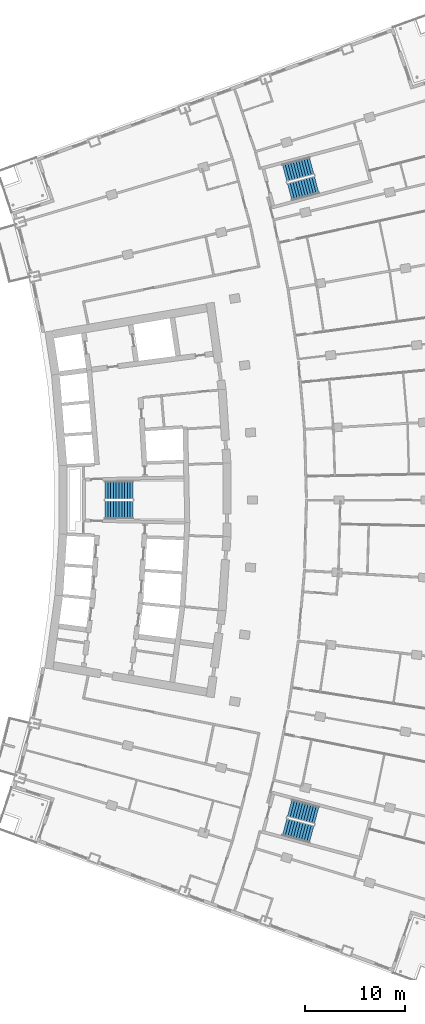
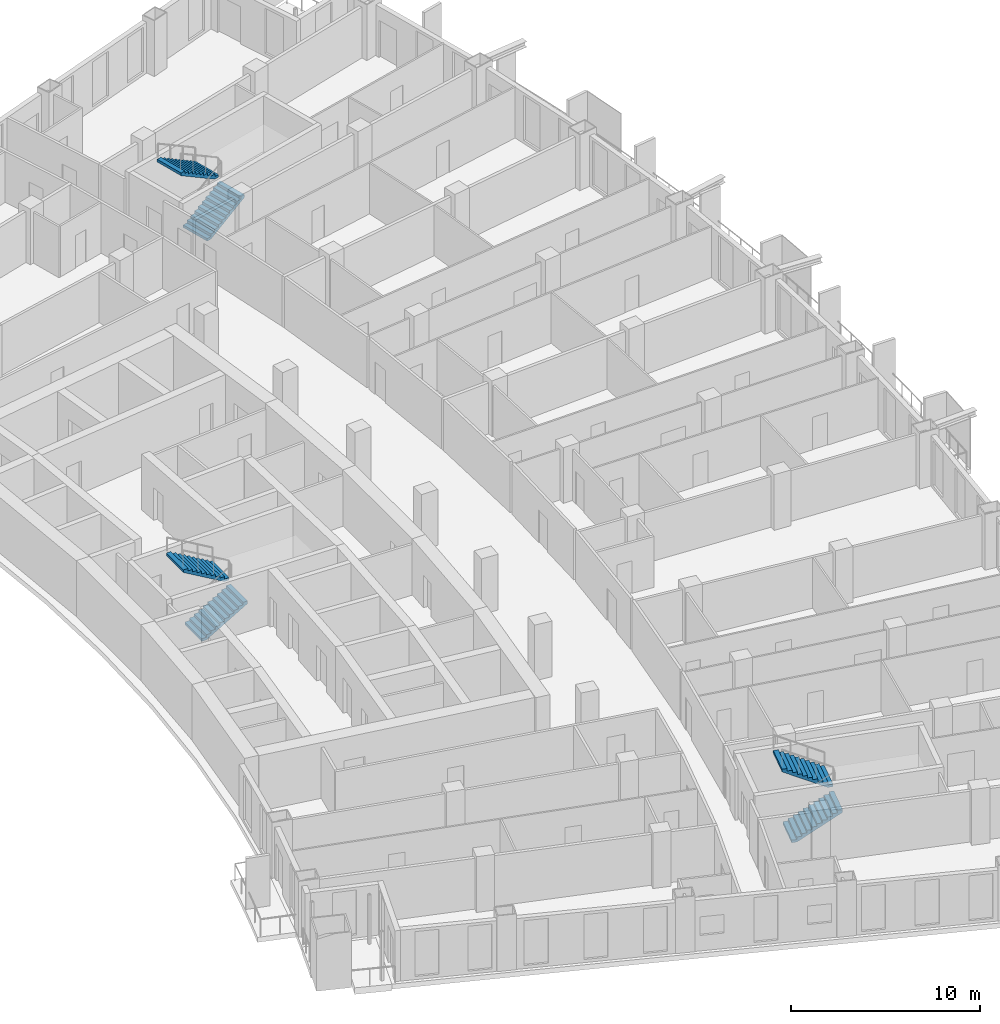
# One storey, part 22 of 25: 6 stair flights, 3 elements without a shape of their own.
"""IFC4 building model written with IfcOpenShell, lengths in metres."""

from ifc_helpers import new_model, si_unit, direction, frame, origin, place, context, subcontext, project, spatial, polyline, outline, extrude, material, layer, layer_set, type_object, element, aggregate, save


model = new_model("IFC4")

# Units and contexts
model_context = context("Model", 3, precision=1e-05, world=origin(), true_north=direction((0.0, 1.0)))
body_context = subcontext(model_context, "Body", "Model", "MODEL_VIEW")
ifc_project = project(units=[si_unit("LENGTHUNIT", "METRE"), si_unit("AREAUNIT", "SQUARE_METRE"), si_unit("VOLUMEUNIT", "CUBIC_METRE"), si_unit("PLANEANGLEUNIT", "RADIAN"), si_unit("MASSUNIT", "GRAM", prefix="KILO")], contexts=[model_context])

# Site, building, storey
site_placement = place(None, origin())
site = spatial("IfcSite", under=ifc_project, at=site_placement, CompositionType="ELEMENT")
building_placement = place(site_placement, origin())
building = spatial("IfcBuilding", under=site, at=building_placement, Name="Alderwake Tower", CompositionType="ELEMENT")
storey_placement = place(building_placement, frame((0.0, 0.0, 86.0)))
storey = spatial("IfcBuildingStorey", under=building, at=storey_placement, Name="L20", CompositionType="ELEMENT", Elevation=86.0)

# Stair, stair flights
ifc_material_1 = material(Name="Concrete C40/50", Category="concrete")
stair_type = type_object("IfcStairType", Name="Core exit stair", PredefinedType="HALF_TURN_STAIR", material=ifc_material_1)
stair_1_placement = place(storey_placement, origin())
stair_1 = element("IfcStair", 1, at=stair_1_placement, inside=storey, type_object=stair_type, Name="L20 Exit Stair B", PredefinedType="HALF_TURN_STAIR")
ifc_material_2 = material(Name="Concrete C40/50", Category="concrete")
ifc_layer = layer(ifc_material_2, 0.14990234375)
ifc_layer_set = layer_set([ifc_layer], Name="Core stair flight")
stair_flight_type = type_object("IfcStairFlightType", Name="Core stair flight", PredefinedType="STRAIGHT", material=ifc_layer_set)
stair_flight_1_placement = place(storey_placement, frame((21.0400390625, 60.02490234375, 0.0), z_axis=(0.0, 0.0, 1.0), x_axis=(1.0, 0.0, 0.0)))
stair_flight_1 = element("IfcStairFlight", 2, at=stair_flight_1_placement, type_object=stair_flight_type, Name="ST-B flight 1", NumberOfRisers=11, NumberOfTreads=10, PredefinedType="STRAIGHT", RiserHeight=0.163636364, TreadLength=0.28, context=body_context, shape_type="SweptSolid", body=[
    extrude(outline(polyline([(0.0, 0.0), (0.0, 0.16357421875), (0.280029296875, 0.16357421875), (0.280029296875, 0.327392578125), (0.56005859375, 0.327392578125), (0.56005859375, 0.490966796875), (0.840087890625, 0.490966796875), (0.840087890625, 0.654541015625), (1.1201171875, 0.654541015625), (1.1201171875, 0.818115234375), (1.39990234375, 0.818115234375), (1.39990234375, 0.98193359375), (1.679931640625, 0.98193359375), (1.679931640625, 1.1455078125), (1.9599609375, 1.1455078125), (1.9599609375, 1.30908203125), (2.239990234375, 1.30908203125), (2.239990234375, 1.47265625), (2.52001953125, 1.47265625), (2.52001953125, 1.636474609375), (2.800048828125, 1.636474609375), (2.800048828125, 1.800048828125), (2.800048828125, 1.462646484375), (0.297119140625, 0.0), (0.0, 0.0)])), frame((0.0, 0.89990234375, 0.0), z_axis=(0.0, -1.0, 0.0), x_axis=(1.0, 0.0, 0.0)), (0.0, 0.0, 1.0), 1.800048828125),
])
stair_flight_2_placement = place(storey_placement, frame((23.840087890625, 61.97509765625, 1.800048828125), z_axis=(0.0, 0.0, 1.0), x_axis=(-1.0, 0.0, 0.0)))
stair_flight_2 = element("IfcStairFlight", 3, at=stair_flight_2_placement, type_object=stair_flight_type, Name="ST-B flight 2", NumberOfRisers=11, NumberOfTreads=10, PredefinedType="STRAIGHT", RiserHeight=0.163636364, TreadLength=0.28, context=body_context, shape_type="SweptSolid", body=[
    extrude(outline(polyline([(0.0, 0.0), (0.0, 0.16357421875), (0.280029296875, 0.16357421875), (0.280029296875, 0.327392578125), (0.56005859375, 0.327392578125), (0.56005859375, 0.490966796875), (0.840087890625, 0.490966796875), (0.840087890625, 0.654541015625), (1.1201171875, 0.654541015625), (1.1201171875, 0.818115234375), (1.39990234375, 0.818115234375), (1.39990234375, 0.98193359375), (1.679931640625, 0.98193359375), (1.679931640625, 1.1455078125), (1.9599609375, 1.1455078125), (1.9599609375, 1.30908203125), (2.239990234375, 1.30908203125), (2.239990234375, 1.47265625), (2.52001953125, 1.47265625), (2.52001953125, 1.636474609375), (2.800048828125, 1.636474609375), (2.800048828125, 1.800048828125), (2.800048828125, 1.462646484375), (0.297119140625, 0.0), (0.0, 0.0)])), frame((0.0, 0.89990234375, 0.0), z_axis=(0.0, -1.0, 0.0), x_axis=(1.0, 0.0, 0.0)), (0.0, 0.0, 1.0), 1.800048828125),
])
aggregate(stair_1, [stair_flight_1, stair_flight_2])

stair_2_placement = place(storey_placement, origin())
stair_2 = element("IfcStair", 4, at=stair_2_placement, inside=storey, type_object=stair_type, Name="L20 Exit Stair A", PredefinedType="HALF_TURN_STAIR")
stair_flight_3_placement = place(storey_placement, frame((39.512939453125, 91.823974609375, 0.0), z_axis=(0.0, 0.0, 1.0), x_axis=(0.966309627437, 0.257382407951, 0.0)))
stair_flight_3 = element("IfcStairFlight", 5, at=stair_flight_3_placement, type_object=stair_flight_type, Name="ST-A flight 1", NumberOfRisers=11, NumberOfTreads=10, PredefinedType="STRAIGHT", RiserHeight=0.163636364, TreadLength=0.28, context=body_context, shape_type="SweptSolid", body=[
    extrude(outline(polyline([(0.0, 0.0), (0.0, 0.16357421875), (0.280029296875, 0.16357421875), (0.280029296875, 0.327392578125), (0.56005859375, 0.327392578125), (0.56005859375, 0.490966796875), (0.840087890625, 0.490966796875), (0.840087890625, 0.654541015625), (1.1201171875, 0.654541015625), (1.1201171875, 0.818115234375), (1.39990234375, 0.818115234375), (1.39990234375, 0.98193359375), (1.679931640625, 0.98193359375), (1.679931640625, 1.1455078125), (1.9599609375, 1.1455078125), (1.9599609375, 1.30908203125), (2.239990234375, 1.30908203125), (2.239990234375, 1.47265625), (2.52001953125, 1.47265625), (2.52001953125, 1.636474609375), (2.800048828125, 1.636474609375), (2.800048828125, 1.800048828125), (2.800048828125, 1.462646484375), (0.297119140625, 0.0), (0.0, 0.0)])), frame((0.0, 0.89990234375, 0.0), z_axis=(0.0, -1.0, 0.0), x_axis=(1.0, 0.0, 0.0)), (0.0, 0.0, 1.0), 1.800048828125),
])
stair_flight_4_placement = place(storey_placement, frame((41.716796875, 94.428955078125, 1.800048828125), z_axis=(0.0, 0.0, 1.0), x_axis=(-0.966309627437, -0.257382407951, 0.0)))
stair_flight_4 = element("IfcStairFlight", 6, at=stair_flight_4_placement, type_object=stair_flight_type, Name="ST-A flight 2", NumberOfRisers=11, NumberOfTreads=10, PredefinedType="STRAIGHT", RiserHeight=0.163636364, TreadLength=0.28, context=body_context, shape_type="SweptSolid", body=[
    extrude(outline(polyline([(0.0, 0.0), (0.0, 0.16357421875), (0.280029296875, 0.16357421875), (0.280029296875, 0.327392578125), (0.56005859375, 0.327392578125), (0.56005859375, 0.490966796875), (0.840087890625, 0.490966796875), (0.840087890625, 0.654541015625), (1.1201171875, 0.654541015625), (1.1201171875, 0.818115234375), (1.39990234375, 0.818115234375), (1.39990234375, 0.98193359375), (1.679931640625, 0.98193359375), (1.679931640625, 1.1455078125), (1.9599609375, 1.1455078125), (1.9599609375, 1.30908203125), (2.239990234375, 1.30908203125), (2.239990234375, 1.47265625), (2.52001953125, 1.47265625), (2.52001953125, 1.636474609375), (2.800048828125, 1.636474609375), (2.800048828125, 1.800048828125), (2.800048828125, 1.462646484375), (0.297119140625, 0.0), (0.0, 0.0)])), frame((0.0, 0.89990234375, 0.0), z_axis=(0.0, -1.0, 0.0), x_axis=(1.0, 0.0, 0.0)), (0.0, 0.0, 1.0), 1.800048828125),
])
aggregate(stair_2, [stair_flight_3, stair_flight_4])

stair_3_placement = place(storey_placement, origin())
stair_3 = element("IfcStair", 7, at=stair_3_placement, inside=storey, type_object=stair_type, Name="L20 Exit Stair C", PredefinedType="HALF_TURN_STAIR")
stair_flight_5_placement = place(storey_placement, frame((39.010986328125, 28.291748046875, 0.0), z_axis=(0.0, 0.0, 1.0), x_axis=(0.966309627437, -0.257382407951, 0.0)))
stair_flight_5 = element("IfcStairFlight", 8, at=stair_flight_5_placement, type_object=stair_flight_type, Name="ST-C flight 1", NumberOfRisers=11, NumberOfTreads=10, PredefinedType="STRAIGHT", RiserHeight=0.163636364, TreadLength=0.28, context=body_context, shape_type="SweptSolid", body=[
    extrude(outline(polyline([(0.0, 0.0), (0.0, 0.16357421875), (0.280029296875, 0.16357421875), (0.280029296875, 0.327392578125), (0.56005859375, 0.327392578125), (0.56005859375, 0.490966796875), (0.840087890625, 0.490966796875), (0.840087890625, 0.654541015625), (1.1201171875, 0.654541015625), (1.1201171875, 0.818115234375), (1.39990234375, 0.818115234375), (1.39990234375, 0.98193359375), (1.679931640625, 0.98193359375), (1.679931640625, 1.1455078125), (1.9599609375, 1.1455078125), (1.9599609375, 1.30908203125), (2.239990234375, 1.30908203125), (2.239990234375, 1.47265625), (2.52001953125, 1.47265625), (2.52001953125, 1.636474609375), (2.800048828125, 1.636474609375), (2.800048828125, 1.800048828125), (2.800048828125, 1.462646484375), (0.297119140625, 0.0), (0.0, 0.0)])), frame((0.0, 0.89990234375, 0.0), z_axis=(0.0, -1.0, 0.0), x_axis=(1.0, 0.0, 0.0)), (0.0, 0.0, 1.0), 1.800048828125),
])
stair_flight_6_placement = place(storey_placement, frame((42.218505859375, 29.455322265625, 1.800048828125), z_axis=(0.0, 0.0, 1.0), x_axis=(-0.966309627437, 0.257382407951, 0.0)))
stair_flight_6 = element("IfcStairFlight", 9, at=stair_flight_6_placement, type_object=stair_flight_type, Name="ST-C flight 2", NumberOfRisers=11, NumberOfTreads=10, PredefinedType="STRAIGHT", RiserHeight=0.163636364, TreadLength=0.28, context=body_context, shape_type="SweptSolid", body=[
    extrude(outline(polyline([(0.0, 0.0), (0.0, 0.16357421875), (0.280029296875, 0.16357421875), (0.280029296875, 0.327392578125), (0.56005859375, 0.327392578125), (0.56005859375, 0.490966796875), (0.840087890625, 0.490966796875), (0.840087890625, 0.654541015625), (1.1201171875, 0.654541015625), (1.1201171875, 0.818115234375), (1.39990234375, 0.818115234375), (1.39990234375, 0.98193359375), (1.679931640625, 0.98193359375), (1.679931640625, 1.1455078125), (1.9599609375, 1.1455078125), (1.9599609375, 1.30908203125), (2.239990234375, 1.30908203125), (2.239990234375, 1.47265625), (2.52001953125, 1.47265625), (2.52001953125, 1.636474609375), (2.800048828125, 1.636474609375), (2.800048828125, 1.800048828125), (2.800048828125, 1.462646484375), (0.297119140625, 0.0), (0.0, 0.0)])), frame((0.0, 0.89990234375, 0.0), z_axis=(0.0, -1.0, 0.0), x_axis=(1.0, 0.0, 0.0)), (0.0, 0.0, 1.0), 1.800048828125),
])
aggregate(stair_3, [stair_flight_5, stair_flight_6])

save(model, "model.ifc")
